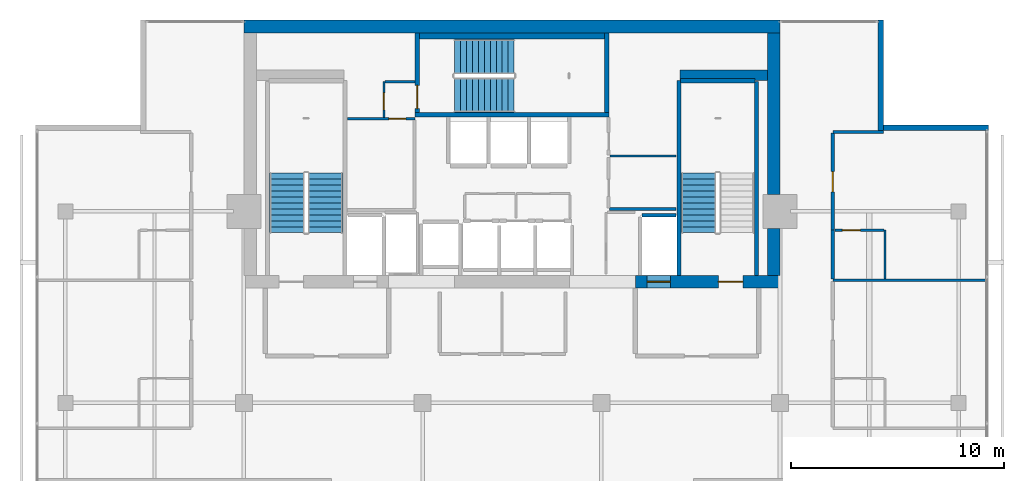
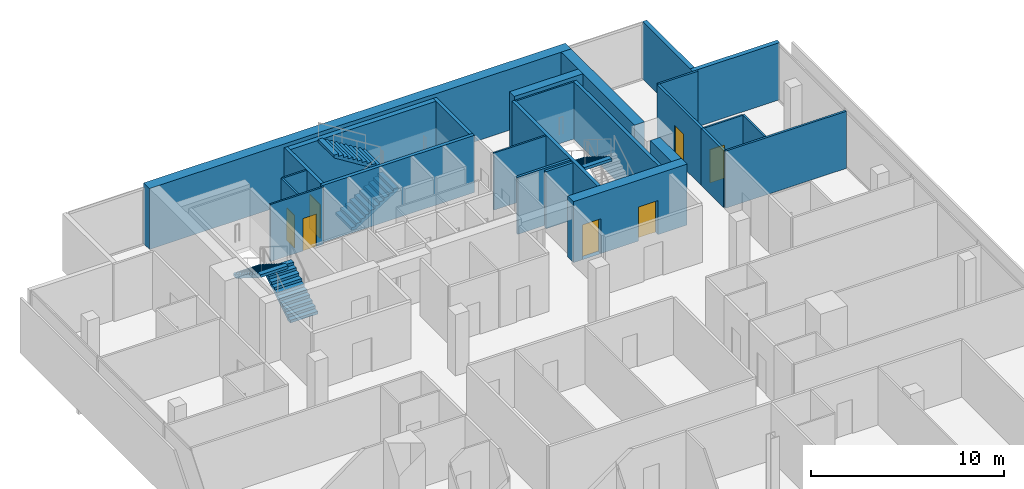
# One storey, part 23 of 26: 26 walls, 7 doors, 5 stair flights, 7 openings, 3 elements without a shape of their own.
"""IFC4 building model written with IfcOpenShell, lengths in metres."""

from ifc_helpers import new_model, si_unit, direction, frame, frame_2d, origin, place, context, subcontext, project, spatial, polyline, rectangle, outline, extrude, material, layer, layer_set, type_object, element, fill, aggregate, save


model = new_model("IFC4")

# Units and contexts
model_context = context("Model", 3, precision=1e-05, world=origin(), true_north=direction((0.0, 1.0)))
body_context = subcontext(model_context, "Body", "Model", "MODEL_VIEW")
ifc_project = project(units=[si_unit("LENGTHUNIT", "METRE"), si_unit("AREAUNIT", "SQUARE_METRE"), si_unit("VOLUMEUNIT", "CUBIC_METRE"), si_unit("PLANEANGLEUNIT", "RADIAN"), si_unit("MASSUNIT", "GRAM", prefix="KILO")], contexts=[model_context])

# Site, building, storey
site_placement = place(None, origin())
site = spatial("IfcSite", under=ifc_project, at=site_placement, CompositionType="ELEMENT")
building_placement = place(site_placement, origin())
building = spatial("IfcBuilding", under=site, at=building_placement, Name="Maruvema Waterfront Hotel and Observation Tower", CompositionType="ELEMENT")
storey_placement = place(building_placement, frame((0.0, 0.0, 301.0)))
storey = spatial("IfcBuildingStorey", under=building, at=storey_placement, Name="L74", CompositionType="ELEMENT", Elevation=301.0)

# Walls
ifc_material_1 = material(Name="Twin-stud acoustic gypsum drywall", Category="gypsum")
ifc_layer_1 = layer(ifc_material_1, 0.14990234375, Name="Acoustic Corridor and Suite Demising Wall 150 mm")
ifc_layer_set_1 = layer_set([ifc_layer_1], Name="Twin-stud acoustic gypsum drywall")
wall_type_1 = type_object("IfcWallType", Name="Acoustic Corridor and Suite Demising Wall 150 mm", PredefinedType="PARTITIONING", material=ifc_layer_set_1)
wall_1_placement = place(storey_placement, frame((42.3798828125, 45.1201171875, 0.0), z_axis=(0.0, 0.0, 1.0), x_axis=(1.0, 0.0, 0.0)))
element("IfcWall", 1, at=wall_1_placement, inside=storey, type_object=wall_type_1, Name="L74 Freed B2 South Wall 025", PredefinedType="PARTITIONING", context=body_context, shape_type="SweptSolid", body=[
    extrude(rectangle(XDim=3.14013671875, YDim=0.14990234375, at=frame_2d((1.570068359375, 0.0))), origin(), (0.0, 0.0, 1.0), 3.610107421875),
])
wall_2_placement = place(storey_placement, frame((52.8798828125, 41.82861328125, 0.0), z_axis=(0.0, 0.0, 1.0), x_axis=(0.0, 1.0, 0.0)))
element("IfcWall", 2, at=wall_2_placement, inside=storey, type_object=wall_type_1, Name="L74 Bath L74-NE2 Wall 101", PredefinedType="PARTITIONING", context=body_context, shape_type="SweptSolid", body=[
    extrude(rectangle(XDim=2.2900390625, YDim=0.14990234375, at=frame_2d((1.14501953125, 0.0))), origin(), (0.0, 0.0, 1.0), 3.610107421875),
])

# Wall, opening, door
wall_3_placement = place(storey_placement, frame((52.8798828125, 44.11865234375, 0.0), z_axis=(0.0, 0.0, 1.0), x_axis=(0.0, 1.0, 0.0)))
wall_3 = element("IfcWall", 3, at=wall_3_placement, inside=storey, type_object=wall_type_1, Name="L74 Room L74-NE2 Corridor Wall 102", PredefinedType="PARTITIONING", context=body_context, shape_type="SweptSolid", body=[
    extrude(rectangle(XDim=4.558837890625, YDim=0.14990234375, at=frame_2d((2.279296875, 0.0))), origin(), (0.0, 0.0, 1.0), 3.610107421875),
])
opening_1_placement = place(wall_3_placement, frame((1.804443359375, 0.0, 0.0)))
opening_1 = element("IfcOpeningElement", 4, at=opening_1_placement, cuts=wall_3, Name="Opening DR-095", PredefinedType="OPENING", context=body_context, shape_type="SweptSolid", body=[
    extrude(rectangle(XDim=0.949951171875, YDim=2.14990234375, at=frame_2d((0.47509765625, 1.074951171875))), frame((0.0, 0.0849609375, 0.0), z_axis=(0.0, -1.0, 0.0), x_axis=(1.0, 0.0, 0.0)), (0.0, 0.0, 1.0), 0.169921875),
])
ifc_material_2 = material(Name="Acoustic solid-core hardwood timber leaf", Category="wood")
door_type_1 = type_object("IfcDoorType", Name="Guestroom Entrance Fire Door 950x2150 mm", OperationType="NOTDEFINED", PredefinedType="DOOR", material=ifc_material_2)
door_1_placement = place(opening_1_placement, frame((0.949951171875, 0.0, 0.0), z_axis=(0.0, 0.0, 1.0), x_axis=(-1.0, 0.0, 0.0)))
door_1 = element("IfcDoor", 5, at=door_1_placement, inside=storey, type_object=door_type_1, Name="L74 Room L74-NE2 Entrance Door", OperationType="SINGLE_SWING_RIGHT", OverallHeight=2.14990234375, OverallWidth=0.949951171875, PredefinedType="DOOR", context=body_context, shape_type="SweptSolid", body=[
    extrude(rectangle(XDim=0.949951171875, YDim=2.14990234375, at=frame_2d((0.47509765625, 1.074951171875))), frame((0.0, 0.02490234375, 0.0), z_axis=(0.0, -1.0, 0.0), x_axis=(1.0, 0.0, 0.0)), (0.0, 0.0, 1.0), 0.050048828125),
])
fill(opening_1, door_1)

# Walls
ifc_material_3 = material(Name="Precast concrete C45/55", Category="concrete")
ifc_layer_2 = layer(ifc_material_3, 0.300048828125, Name="Core Shaft Furring Wall 300 mm")
ifc_layer_set_2 = layer_set([ifc_layer_2], Name="Precast concrete C45/55")
wall_type_2 = type_object("IfcWallType", Name="Core Shaft Furring Wall 300 mm", PredefinedType="SOLIDWALL", material=ifc_layer_set_2)
wall_4_placement = place(storey_placement, frame((33.449951171875, 53.25, 0.0), z_axis=(0.0, 0.0, 1.0), x_axis=(1.0, 0.0, 0.0)))
element("IfcWall", 6, at=wall_4_placement, inside=storey, type_object=wall_type_2, Name="L74 Stairwell ST-02 North Furring Wall", PredefinedType="SOLIDWALL", context=body_context, shape_type="SweptSolid", body=[
    extrude(rectangle(XDim=8.699951171875, YDim=0.300048828125, at=frame_2d((4.35009765625, 0.0))), origin(), (0.0, 0.0, 1.0), 3.610107421875),
])
ifc_material_4 = material(Name="Precast concrete C45/55", Category="concrete")
ifc_layer_3 = layer(ifc_material_4, 0.199951171875, Name="Core Shaft and Stairwell Enclosure Wall 200 mm")
ifc_layer_set_3 = layer_set([ifc_layer_3], Name="Precast concrete C45/55")
wall_type_3 = type_object("IfcWallType", Name="Core Shaft and Stairwell Enclosure Wall 200 mm", PredefinedType="SOLIDWALL", material=ifc_layer_set_3)
wall_5_placement = place(storey_placement, frame((33.25, 49.550048828125, 0.0), z_axis=(0.0, 0.0, 1.0), x_axis=(1.0, 0.0, 0.0)))
element("IfcWall", 7, at=wall_5_placement, inside=storey, type_object=wall_type_3, Name="L74 Stairwell ST-02 Shaft Wall", PredefinedType="SOLIDWALL", context=body_context, shape_type="SweptSolid", body=[
    extrude(rectangle(XDim=9.10009765625, YDim=0.199951171875, at=frame_2d((4.550048828125, 0.0))), origin(), (0.0, 0.0, 1.0), 3.610107421875),
])
wall_6_placement = place(storey_placement, frame((42.25, 49.64990234375, 0.0), z_axis=(0.0, 0.0, 1.0), x_axis=(0.0, 1.0, 0.0)))
element("IfcWall", 8, at=wall_6_placement, inside=storey, type_object=wall_type_3, Name="L74 Stairwell ST-02 Shaft Wall", PredefinedType="SOLIDWALL", context=body_context, shape_type="SweptSolid", body=[
    extrude(rectangle(XDim=3.75, YDim=0.199951171875, at=frame_2d((1.875, 0.0))), origin(), (0.0, 0.0, 1.0), 3.610107421875),
])

# Wall, opening, door
wall_7_placement = place(storey_placement, frame((33.35009765625, 49.64990234375, 0.0), z_axis=(0.0, 0.0, 1.0), x_axis=(0.0, 1.0, 0.0)))
wall_7 = element("IfcWall", 9, at=wall_7_placement, inside=storey, type_object=wall_type_3, Name="L74 Stairwell ST-02 Shaft Wall", PredefinedType="SOLIDWALL", context=body_context, shape_type="SweptSolid", body=[
    extrude(rectangle(XDim=3.75, YDim=0.199951171875, at=frame_2d((1.875, 0.0))), origin(), (0.0, 0.0, 1.0), 3.610107421875),
])
opening_2_placement = place(wall_7_placement, frame((0.179931640625, 0.0, 0.0)))
opening_2 = element("IfcOpeningElement", 10, at=opening_2_placement, cuts=wall_7, Name="Opening SD-02", PredefinedType="OPENING", context=body_context, shape_type="SweptSolid", body=[
    extrude(rectangle(XDim=1.10009765625, YDim=2.14990234375, at=frame_2d((0.550048828125, 1.074951171875))), frame((0.0, 0.10986328125, 0.0), z_axis=(0.0, -1.0, 0.0), x_axis=(1.0, 0.0, 0.0)), (0.0, 0.0, 1.0), 0.219970703125),
])
ifc_material_5 = material(Name="Fire-rated galvanised steel leaf", Category="steel")
door_type_2 = type_object("IfcDoorType", Name="Central Exit Stair Fire Door 1100x2150 mm", OperationType="NOTDEFINED", PredefinedType="DOOR", material=ifc_material_5)
door_2_placement = place(opening_2_placement, frame((1.10009765625, 0.0, 0.0), z_axis=(0.0, 0.0, 1.0), x_axis=(-1.0, 0.0, 0.0)))
door_2 = element("IfcDoor", 11, at=door_2_placement, inside=storey, type_object=door_type_2, Name="L74 Exit Stair ST-02 Fire Door", OperationType="SINGLE_SWING_LEFT", OverallHeight=2.14990234375, OverallWidth=1.10009765625, PredefinedType="DOOR", context=body_context, shape_type="SweptSolid", body=[
    extrude(rectangle(XDim=1.10009765625, YDim=2.14990234375, at=frame_2d((0.550048828125, 1.074951171875))), frame((0.0, 0.02490234375, 0.0), z_axis=(0.0, -1.0, 0.0), x_axis=(1.0, 0.0, 0.0)), (0.0, 0.0, 1.0), 0.050048828125),
])
fill(opening_2, door_2)

# Walls
wall_8_placement = place(storey_placement, frame((45.64990234375, 42.0, 0.0), z_axis=(0.0, 0.0, 1.0), x_axis=(0.0, 1.0, 0.0)))
element("IfcWall", 12, at=wall_8_placement, inside=storey, type_object=wall_type_3, Name="L74 Stairwell ST-03 West Shaft Wall", PredefinedType="SOLIDWALL", context=body_context, shape_type="SweptSolid", body=[
    extrude(rectangle(XDim=9.14990234375, YDim=0.199951171875, at=frame_2d((4.574951171875, 0.0))), origin(), (0.0, 0.0, 1.0), 3.610107421875),
])
wall_9_placement = place(storey_placement, frame((49.300048828125, 42.0, 0.0), z_axis=(0.0, 0.0, 1.0), x_axis=(0.0, 1.0, 0.0)))
element("IfcWall", 13, at=wall_9_placement, inside=storey, type_object=wall_type_3, Name="L74 Stairwell ST-03 Shaft Lining Wall", PredefinedType="SOLIDWALL", context=body_context, shape_type="SweptSolid", body=[
    extrude(rectangle(XDim=9.1201171875, YDim=0.199951171875, at=frame_2d((4.56005859375, 0.0))), origin(), (0.0, 0.0, 1.0), 3.610107421875),
])
wall_10_placement = place(storey_placement, frame((45.719970703125, 51.14990234375, 0.0), z_axis=(0.0, 0.0, 1.0), x_axis=(1.0, 0.0, 0.0)))
element("IfcWall", 14, at=wall_10_placement, inside=storey, type_object=wall_type_3, Name="L74 Stairwell ST-03 Shaft Lining Wall", PredefinedType="SOLIDWALL", context=body_context, shape_type="SweptSolid", body=[
    extrude(rectangle(XDim=3.5, YDim=0.199951171875, at=frame_2d((1.75, 0.0))), origin(), (0.0, 0.0, 1.0), 3.610107421875),
])
ifc_material_6 = material(Name="Concrete C70/85", Category="concrete")
ifc_layer_4 = layer(ifc_material_6, 0.5, Name="Core Shear Wall 500 mm")
ifc_layer_set_4 = layer_set([ifc_layer_4], Name="Concrete C70/85")
wall_type_4 = type_object("IfcWallType", Name="Core Shear Wall 500 mm", PredefinedType="SHEAR", material=ifc_layer_set_4)
wall_11_placement = place(storey_placement, frame((45.699951171875, 51.39990234375, 0.0), z_axis=(0.0, 0.0, 1.0), x_axis=(1.0, 0.0, 0.0)))
element("IfcWall", 15, at=wall_11_placement, inside=storey, type_object=wall_type_4, Name="L74 Internal Core Shear Wall NE 500 mm", PredefinedType="SHEAR", context=body_context, shape_type="SweptSolid", body=[
    extrude(rectangle(XDim=4.10009765625, YDim=0.5, at=frame_2d((2.050048828125, 0.0))), origin(), (0.0, 0.0, 1.0), 3.85009765625),
])
ifc_material_7 = material(Name="Concrete C60/75", Category="concrete")
ifc_layer_5 = layer(ifc_material_7, 0.60009765625, Name="Core Shear Wall 600 mm")
ifc_layer_set_5 = layer_set([ifc_layer_5], Name="Concrete C60/75")
wall_type_5 = type_object("IfcWallType", Name="Core Shear Wall 600 mm", PredefinedType="SHEAR", material=ifc_layer_set_5)
wall_12_placement = place(storey_placement, frame((25.199951171875, 53.699951171875, 0.0), z_axis=(0.0, 0.0, 1.0), x_axis=(1.0, 0.0, 0.0)))
element("IfcWall", 16, at=wall_12_placement, inside=storey, type_object=wall_type_5, Name="L74 North Core Shear Wall", PredefinedType="SHEAR", context=body_context, shape_type="SweptSolid", body=[
    extrude(rectangle(XDim=25.199951171875, YDim=0.60009765625, at=frame_2d((12.60009765625, 0.0))), origin(), (0.0, 0.0, 1.0), 3.85009765625),
])

# Wall, openings, doors
wall_13_placement = place(storey_placement, frame((43.60009765625, 41.699951171875, 0.0), z_axis=(0.0, 0.0, 1.0), x_axis=(1.0, 0.0, 0.0)))
wall_13 = element("IfcWall", 17, at=wall_13_placement, inside=storey, type_object=wall_type_5, Name="L74 South-East Core Shear Wall", PredefinedType="SHEAR", context=body_context, shape_type="SweptSolid", body=[
    extrude(rectangle(XDim=6.7998046875, YDim=0.60009765625, at=frame_2d((3.39990234375, 0.0))), origin(), (0.0, 0.0, 1.0), 3.85009765625),
])
opening_3_placement = place(wall_13_placement, frame((3.89990234375, 0.0, 0.0)))
opening_3 = element("IfcOpeningElement", 18, at=opening_3_placement, cuts=wall_13, Name="Opening SD-01", PredefinedType="OPENING", context=body_context, shape_type="SweptSolid", body=[
    extrude(rectangle(XDim=1.14990234375, YDim=2.14990234375, at=frame_2d((0.574951171875, 1.074951171875))), frame((0.0, 0.31005859375, 0.0), z_axis=(0.0, -1.0, 0.0), x_axis=(1.0, 0.0, 0.0)), (0.0, 0.0, 1.0), 0.6201171875),
])
opening_4_placement = place(wall_13_placement, frame((0.550048828125, 0.0, 0.0)))
opening_4 = element("IfcOpeningElement", 19, at=opening_4_placement, cuts=wall_13, Name="Opening LD-03", PredefinedType="OPENING", context=body_context, shape_type="SweptSolid", body=[
    extrude(rectangle(XDim=1.10009765625, YDim=2.199951171875, at=frame_2d((0.550048828125, 1.10009765625))), frame((0.0, 0.31005859375, 0.0), z_axis=(0.0, -1.0, 0.0), x_axis=(1.0, 0.0, 0.0)), (0.0, 0.0, 1.0), 0.6201171875),
])
ifc_material_8 = material(Name="Fire-rated galvanised steel leaf", Category="steel")
door_type_3 = type_object("IfcDoorType", Name="Exit Stair Fire Door 1150x2150 mm", OperationType="NOTDEFINED", PredefinedType="DOOR", material=ifc_material_8)
door_3_placement = place(opening_3_placement, origin())
door_3 = element("IfcDoor", 20, at=door_3_placement, inside=storey, type_object=door_type_3, Name="L74 Exit Stair ST-03 Fire Door", OperationType="SINGLE_SWING_RIGHT", OverallHeight=2.14990234375, OverallWidth=1.14990234375, PredefinedType="DOOR", context=body_context, shape_type="SweptSolid", body=[
    extrude(rectangle(XDim=1.14990234375, YDim=2.14990234375, at=frame_2d((0.574951171875, 1.074951171875))), frame((0.0, 0.02490234375, 0.0), z_axis=(0.0, -1.0, 0.0), x_axis=(1.0, 0.0, 0.0)), (0.0, 0.0, 1.0), 0.050048828125),
])
fill(opening_3, door_3)
ifc_material_9 = material(Name="Brushed stainless steel Grade 316", Category="steel")
door_type_4 = type_object("IfcDoorType", Name="Firefighting Lift Sliding Landing Door 1100x2200 mm", OperationType="SLIDING_TO_LEFT", PredefinedType="DOOR", material=ifc_material_9)
door_4_placement = place(opening_4_placement, frame((1.10009765625, 0.0, 0.0), z_axis=(0.0, 0.0, 1.0), x_axis=(-1.0, 0.0, 0.0)))
door_4 = element("IfcDoor", 21, at=door_4_placement, inside=storey, type_object=door_type_4, Name="L74 Firefighting Lift FL-02 Landing Door", OperationType="SLIDING_TO_LEFT", OverallHeight=2.199951171875, OverallWidth=1.10009765625, PredefinedType="DOOR", context=body_context, shape_type="SweptSolid", body=[
    extrude(rectangle(XDim=1.10009765625, YDim=2.199951171875, at=frame_2d((0.550048828125, 1.10009765625))), frame((0.0, 0.02490234375, 0.0), z_axis=(0.0, -1.0, 0.0), x_axis=(1.0, 0.0, 0.0)), (0.0, 0.0, 1.0), 0.050048828125),
])
fill(opening_4, door_4)

# Walls
wall_14_placement = place(storey_placement, frame((50.10009765625, 42.0, 0.0), z_axis=(0.0, 0.0, 1.0), x_axis=(0.0, 1.0, 0.0)))
element("IfcWall", 22, at=wall_14_placement, inside=storey, type_object=wall_type_5, Name="L74 East-South Core Shear Wall", PredefinedType="SHEAR", context=body_context, shape_type="SweptSolid", body=[
    extrude(rectangle(XDim=2.199951171875, YDim=0.60009765625, at=frame_2d((1.10009765625, 0.0))), origin(), (0.0, 0.0, 1.0), 3.85009765625),
])
wall_15_placement = place(storey_placement, frame((50.10009765625, 45.800048828125, 0.0), z_axis=(0.0, 0.0, 1.0), x_axis=(0.0, 1.0, 0.0)))
element("IfcWall", 23, at=wall_15_placement, inside=storey, type_object=wall_type_5, Name="L74 East-North Core Shear Wall", PredefinedType="SHEAR", context=body_context, shape_type="SweptSolid", body=[
    extrude(rectangle(XDim=7.599853515625, YDim=0.60009765625, at=frame_2d((3.7998046875, 0.0))), origin(), (0.0, 0.0, 1.0), 3.85009765625),
])

# Wall, opening, door
ifc_material_10 = material(Name="Moisture-resistant cement-board drywall", Category="gypsum")
ifc_layer_6 = layer(ifc_material_10, 0.10009765625, Name="En-Suite Moisture-Resistant Partition 100 mm")
ifc_layer_set_6 = layer_set([ifc_layer_6], Name="Moisture-resistant cement-board drywall")
wall_type_6 = type_object("IfcWallType", Name="En-Suite Moisture-Resistant Partition 100 mm", PredefinedType="PARTITIONING", material=ifc_layer_set_6)
wall_16_placement = place(storey_placement, frame((30.06005859375, 49.360107421875, 0.0), z_axis=(0.0, 0.0, 1.0), x_axis=(1.0, 0.0, 0.0)))
wall_16 = element("IfcWall", 24, at=wall_16_placement, inside=storey, type_object=wall_type_6, Name="L74 Freed B1 Mid Wall 019", PredefinedType="PARTITIONING", context=body_context, shape_type="SweptSolid", body=[
    extrude(rectangle(XDim=3.179931640625, YDim=0.10009765625, at=frame_2d((1.58984375, 0.0))), origin(), (0.0, 0.0, 1.0), 3.610107421875),
])
opening_5_placement = place(wall_16_placement, frame((1.949951171875, 0.0, 0.0)))
opening_5 = element("IfcOpeningElement", 25, at=opening_5_placement, cuts=wall_16, Name="Opening DR-080", PredefinedType="OPENING", context=body_context, shape_type="SweptSolid", body=[
    extrude(rectangle(XDim=0.800048828125, YDim=2.050048828125, at=frame_2d((0.39990234375, 1.02490234375))), frame((0.0, 0.06005859375, 0.0), z_axis=(0.0, -1.0, 0.0), x_axis=(1.0, 0.0, 0.0)), (0.0, 0.0, 1.0), 0.1201171875),
])
ifc_material_11 = material(Name="Powder-coated steel access leaf", Category="steel")
door_type_5 = type_object("IfcDoorType", Name="Riser and Service Cupboard Door 800x2050 mm", OperationType="NOTDEFINED", PredefinedType="DOOR", material=ifc_material_11)
door_5_placement = place(opening_5_placement, origin())
door_5 = element("IfcDoor", 26, at=door_5_placement, inside=storey, type_object=door_type_5, Name="L74 Housekeeping and Linen Room Door", OperationType="SINGLE_SWING_LEFT", OverallHeight=2.050048828125, OverallWidth=0.800048828125, PredefinedType="DOOR", context=body_context, shape_type="SweptSolid", body=[
    extrude(rectangle(XDim=0.800048828125, YDim=2.050048828125, at=frame_2d((0.39990234375, 1.02490234375))), frame((0.0, 0.02490234375, 0.0), z_axis=(0.0, -1.0, 0.0), x_axis=(1.0, 0.0, 0.0)), (0.0, 0.0, 1.0), 0.050048828125),
])
fill(opening_5, door_5)

wall_17_placement = place(storey_placement, frame((31.780029296875, 49.419921875, 0.0), z_axis=(0.0, 0.0, 1.0), x_axis=(0.0, 1.0, 0.0)))
wall_17 = element("IfcWall", 27, at=wall_17_placement, inside=storey, type_object=wall_type_6, Name="L74 Freed B1 NW East Wall 020", PredefinedType="PARTITIONING", context=body_context, shape_type="SweptSolid", body=[
    extrude(rectangle(XDim=1.68017578125, YDim=0.10009765625, at=frame_2d((0.840087890625, 0.0))), origin(), (0.0, 0.0, 1.0), 3.610107421875),
])
opening_6_placement = place(wall_17_placement, frame((0.35009765625, 0.0, 0.0)))
opening_6 = element("IfcOpeningElement", 28, at=opening_6_placement, cuts=wall_17, Name="Opening DR-080", PredefinedType="OPENING", context=body_context, shape_type="SweptSolid", body=[
    extrude(rectangle(XDim=0.800048828125, YDim=2.050048828125, at=frame_2d((0.39990234375, 1.02490234375))), frame((0.0, 0.06005859375, 0.0), z_axis=(0.0, -1.0, 0.0), x_axis=(1.0, 0.0, 0.0)), (0.0, 0.0, 1.0), 0.1201171875),
])
door_6_placement = place(opening_6_placement, origin())
door_6 = element("IfcDoor", 29, at=door_6_placement, inside=storey, type_object=door_type_5, Name="L74 Guest Floor Pantry Door", OperationType="SINGLE_SWING_RIGHT", OverallHeight=2.050048828125, OverallWidth=0.800048828125, PredefinedType="DOOR", context=body_context, shape_type="SweptSolid", body=[
    extrude(rectangle(XDim=0.800048828125, YDim=2.050048828125, at=frame_2d((0.39990234375, 1.02490234375))), frame((0.0, 0.02490234375, 0.0), z_axis=(0.0, -1.0, 0.0), x_axis=(1.0, 0.0, 0.0)), (0.0, 0.0, 1.0), 0.050048828125),
])
fill(opening_6, door_6)

# Walls
wall_18_placement = place(storey_placement, frame((31.820068359375, 51.10009765625, 0.0), z_axis=(0.0, 0.0, 1.0), x_axis=(1.0, 0.0, 0.0)))
element("IfcWall", 30, at=wall_18_placement, inside=storey, type_object=wall_type_6, Name="L74 Freed B1 Vestibule North Wall 021", PredefinedType="PARTITIONING", context=body_context, shape_type="SweptSolid", body=[
    extrude(rectangle(XDim=1.419921875, YDim=0.10009765625, at=frame_2d((0.7099609375, 0.0))), origin(), (0.0, 0.0, 1.0), 3.610107421875),
])
wall_19_placement = place(storey_placement, frame((42.39990234375, 47.60009765625, 0.0), z_axis=(0.0, 0.0, 1.0), x_axis=(1.0, 0.0, 0.0)))
element("IfcWall", 31, at=wall_19_placement, inside=storey, type_object=wall_type_6, Name="L74 Freed B2 Split 024", PredefinedType="PARTITIONING", context=body_context, shape_type="SweptSolid", body=[
    extrude(rectangle(XDim=3.10009765625, YDim=0.10009765625, at=frame_2d((1.550048828125, 0.0))), origin(), (0.0, 0.0, 1.0), 3.610107421875),
])
wall_20_placement = place(storey_placement, frame((55.330078125, 41.82861328125, 0.0), z_axis=(0.0, 0.0, 1.0), x_axis=(0.0, 1.0, 0.0)))
element("IfcWall", 32, at=wall_20_placement, inside=storey, type_object=wall_type_6, Name="L74 En-Suite L74-NE2 E 103", PredefinedType="PARTITIONING", context=body_context, shape_type="SweptSolid", body=[
    extrude(rectangle(XDim=2.2900390625, YDim=0.10009765625, at=frame_2d((1.14501953125, 0.0))), origin(), (0.0, 0.0, 1.0), 3.610107421875),
])

# Wall, opening, door
wall_21_placement = place(storey_placement, frame((52.97998046875, 44.11865234375, 0.0), z_axis=(0.0, 0.0, 1.0), x_axis=(1.0, 0.0, 0.0)))
wall_21 = element("IfcWall", 33, at=wall_21_placement, inside=storey, type_object=wall_type_6, Name="L74 En-Suite L74-NE2 N 104", PredefinedType="PARTITIONING", context=body_context, shape_type="SweptSolid", body=[
    extrude(rectangle(XDim=2.300048828125, YDim=0.10009765625, at=frame_2d((1.14990234375, 0.0))), origin(), (0.0, 0.0, 1.0), 3.610107421875),
])
opening_7_placement = place(wall_21_placement, frame((0.35009765625, 0.0, 0.0)))
opening_7 = element("IfcOpeningElement", 34, at=opening_7_placement, cuts=wall_21, Name="Opening DR-085", PredefinedType="OPENING", context=body_context, shape_type="SweptSolid", body=[
    extrude(rectangle(XDim=0.85009765625, YDim=2.10009765625, at=frame_2d((0.425048828125, 1.050048828125))), frame((0.0, 0.06005859375, 0.0), z_axis=(0.0, -1.0, 0.0), x_axis=(1.0, 0.0, 0.0)), (0.0, 0.0, 1.0), 0.1201171875),
])
ifc_material_12 = material(Name="Moisture-resistant solid timber leaf", Category="wood")
door_type_6 = type_object("IfcDoorType", Name="En-Suite Bathroom Door 850x2100 mm", OperationType="NOTDEFINED", PredefinedType="DOOR", material=ifc_material_12)
door_7_placement = place(opening_7_placement, origin())
door_7 = element("IfcDoor", 35, at=door_7_placement, inside=storey, type_object=door_type_6, Name="L74 En-Suite L74-NE2 Door", OperationType="SINGLE_SWING_LEFT", OverallHeight=2.10009765625, OverallWidth=0.85009765625, PredefinedType="DOOR", context=body_context, shape_type="SweptSolid", body=[
    extrude(rectangle(XDim=0.85009765625, YDim=2.10009765625, at=frame_2d((0.425048828125, 1.050048828125))), frame((0.0, 0.02490234375, 0.0), z_axis=(0.0, -1.0, 0.0), x_axis=(1.0, 0.0, 0.0)), (0.0, 0.0, 1.0), 0.050048828125),
])
fill(opening_7, door_7)

# Walls
ifc_material_13 = material(Name="Precast concrete C45/55 with honed Pernambuco granite facing", Category="masonry")
ifc_layer_7 = layer(ifc_material_13, 0.260009765625, Name="Exterior Granite Clad Spandrel and Pier Wall 260 mm")
ifc_layer_set_7 = layer_set([ifc_layer_7], Name="Precast concrete C45/55 with honed Pernambuco granite facing")
wall_type_7 = type_object("IfcWallType", Name="Exterior Granite Clad Spandrel and Pier Wall 260 mm", PredefinedType="SOLIDWALL", material=ifc_layer_set_7)
for number, where, z_axis, x_axis, name in (
    (36, (55.1298828125, 54.0, 0.0), (0.0, 0.0, 1.0), (0.0, -1.0, 0.0), "L74 Corner Notch Granite Pier Wall NE1"),
    (37, (55.0, 48.929931640625, 0.0), (0.0, 0.0, 1.0), (1.0, 0.0, 0.0), "L74 Corner Notch Granite Pier Wall NE2"),
):
    element("IfcWall", number, at=place(storey_placement, frame(where, z_axis=z_axis, x_axis=x_axis)), inside=storey, type_object=wall_type_7, Name=name, PredefinedType="SOLIDWALL", context=body_context, shape_type="SweptSolid", body=[
        extrude(rectangle(XDim=5.199951171875, YDim=0.260009765625, at=frame_2d((2.60009765625, 0.0))), origin(), (0.0, 0.0, 1.0), 3.610107421875),
    ])
ifc_material_14 = material(Name="Acoustic gypsum plasterboard drywall", Category="gypsum")
ifc_layer_8 = layer(ifc_material_14, 0.125, Name="Guestroom Acoustic Demising Wall 125 mm")
ifc_layer_set_8 = layer_set([ifc_layer_8], Name="Acoustic gypsum plasterboard drywall")
wall_type_8 = type_object("IfcWallType", Name="Guestroom Acoustic Demising Wall 125 mm", PredefinedType="PARTITIONING", material=ifc_layer_set_8)
wall_22_placement = place(storey_placement, frame((52.8798828125, 48.737548828125, 0.0), z_axis=(0.0, 0.0, 1.0), x_axis=(1.0, 0.0, 0.0)))
element("IfcWall", 38, at=wall_22_placement, inside=storey, type_object=wall_type_8, Name="L74 Z3 NE Top End 086", PredefinedType="PARTITIONING", context=body_context, shape_type="SweptSolid", body=[
    extrude(rectangle(XDim=2.380126953125, YDim=0.125, at=frame_2d((1.18994140625, 0.0))), origin(), (0.0, 0.0, 1.0), 3.610107421875),
])
wall_23_placement = place(storey_placement, frame((52.8798828125, 41.768798828125, 0.0), z_axis=(0.0, 0.0, 1.0), x_axis=(1.0, 0.0, 0.0)))
element("IfcWall", 39, at=wall_23_placement, inside=storey, type_object=wall_type_8, Name="L74 Z3 NE Demising 2 096", PredefinedType="PARTITIONING", context=body_context, shape_type="SweptSolid", body=[
    extrude(rectangle(XDim=7.22021484375, YDim=0.125, at=frame_2d((3.610107421875, 0.0))), origin(), (0.0, 0.0, 1.0), 3.610107421875),
])
ifc_material_15 = material(Name="Precast concrete C45/55", Category="concrete")
ifc_layer_9 = layer(ifc_material_15, 0.159912109375, Name="Lift Hoistway Divider Wall 160 mm")
ifc_layer_set_9 = layer_set([ifc_layer_9], Name="Precast concrete C45/55")
wall_type_9 = type_object("IfcWallType", Name="Lift Hoistway Divider Wall 160 mm", PredefinedType="SOLIDWALL", material=ifc_layer_set_9)
wall_24_placement = place(storey_placement, frame((43.89990234375, 44.830078125, 0.0), z_axis=(0.0, 0.0, 1.0), x_axis=(1.0, 0.0, 0.0)))
element("IfcWall", 40, at=wall_24_placement, inside=storey, type_object=wall_type_9, Name="L74 Lift FL-02 Rear Hoistway Wall", PredefinedType="SOLIDWALL", context=body_context, shape_type="SweptSolid", body=[
    extrude(rectangle(XDim=1.60009765625, YDim=0.159912109375, at=frame_2d((0.800048828125, 0.0))), origin(), (0.0, 0.0, 1.0), 3.610107421875),
])

# Stair, stair flights
ifc_material_16 = material(Name="Concrete C50/60", Category="concrete")
stair_type = type_object("IfcStairType", Name="Dogleg Exit Stair 1650 mm (22R x 175.0 mm)", PredefinedType="HALF_TURN_STAIR", material=ifc_material_16)
stair_1_placement = place(storey_placement, origin())
stair_1 = element("IfcStair", 41, at=stair_1_placement, inside=storey, type_object=stair_type, Name="L74 ST-01", PredefinedType="HALF_TURN_STAIR")
ifc_material_17 = material(Name="Concrete C50/60", Category="concrete")
stair_flight_type = type_object("IfcStairFlightType", Name="Reinforced Concrete Stair Flight 1650 mm (11R x 175.0 mm)", PredefinedType="STRAIGHT", material=ifc_material_17)
stair_flight_1_placement = place(storey_placement, frame((29.02490234375, 44.0, 0.0), z_axis=(0.0, 0.0, 1.0), x_axis=(0.0, 1.0, 0.0)))
stair_flight_1 = element("IfcStairFlight", 42, at=stair_flight_1_placement, type_object=stair_flight_type, Name="ST-01 flight 1", NumberOfRisers=11, NumberOfTreads=10, PredefinedType="STRAIGHT", RiserHeight=0.175, TreadLength=0.28, context=body_context, shape_type="SweptSolid", body=[
    extrude(outline(polyline([(0.0, 0.0), (0.0, 0.175048828125), (0.280029296875, 0.175048828125), (0.280029296875, 0.35009765625), (0.56005859375, 0.35009765625), (0.56005859375, 0.52490234375), (0.840087890625, 0.52490234375), (0.840087890625, 0.699951171875), (1.1201171875, 0.699951171875), (1.1201171875, 0.875), (1.39990234375, 0.875), (1.39990234375, 1.050048828125), (1.679931640625, 1.050048828125), (1.679931640625, 1.22509765625), (1.9599609375, 1.22509765625), (1.9599609375, 1.39990234375), (2.239990234375, 1.39990234375), (2.239990234375, 1.574951171875), (2.52001953125, 1.574951171875), (2.52001953125, 1.75), (2.800048828125, 1.75), (2.800048828125, 1.925048828125), (2.800048828125, 1.5732421875), (0.28271484375, 0.0), (0.0, 0.0)])), frame((0.0, 0.824951171875, 0.0), z_axis=(0.0, -1.0, 0.0), x_axis=(1.0, 0.0, 0.0)), (0.0, 0.0, 1.0), 1.64990234375),
])
stair_flight_2_placement = place(storey_placement, frame((27.22509765625, 46.800048828125, 1.925048828125), z_axis=(0.0, 0.0, 1.0), x_axis=(0.0, -1.0, 0.0)))
stair_flight_2 = element("IfcStairFlight", 43, at=stair_flight_2_placement, type_object=stair_flight_type, Name="ST-01 flight 2", NumberOfRisers=11, NumberOfTreads=10, PredefinedType="STRAIGHT", RiserHeight=0.175, TreadLength=0.28, context=body_context, shape_type="SweptSolid", body=[
    extrude(outline(polyline([(0.0, 0.0), (0.0, 0.175048828125), (0.280029296875, 0.175048828125), (0.280029296875, 0.35009765625), (0.56005859375, 0.35009765625), (0.56005859375, 0.52490234375), (0.840087890625, 0.52490234375), (0.840087890625, 0.699951171875), (1.1201171875, 0.699951171875), (1.1201171875, 0.875), (1.39990234375, 0.875), (1.39990234375, 1.050048828125), (1.679931640625, 1.050048828125), (1.679931640625, 1.22509765625), (1.9599609375, 1.22509765625), (1.9599609375, 1.39990234375), (2.239990234375, 1.39990234375), (2.239990234375, 1.574951171875), (2.52001953125, 1.574951171875), (2.52001953125, 1.75), (2.800048828125, 1.75), (2.800048828125, 1.925048828125), (2.800048828125, 1.5732421875), (0.28271484375, 0.0), (0.0, 0.0)])), frame((0.0, 0.824951171875, 0.0), z_axis=(0.0, -1.0, 0.0), x_axis=(1.0, 0.0, 0.0)), (0.0, 0.0, 1.0), 1.64990234375),
])
aggregate(stair_1, [stair_flight_1, stair_flight_2])

stair_2_placement = place(storey_placement, origin())
stair_2 = element("IfcStair", 44, at=stair_2_placement, inside=storey, type_object=stair_type, Name="L74 ST-02", PredefinedType="HALF_TURN_STAIR")
stair_flight_3_placement = place(storey_placement, frame((35.10009765625, 50.47509765625, 0.0), z_axis=(0.0, 0.0, 1.0), x_axis=(1.0, 0.0, 0.0)))
stair_flight_3 = element("IfcStairFlight", 45, at=stair_flight_3_placement, type_object=stair_flight_type, Name="ST-02 flight 1", NumberOfRisers=11, NumberOfTreads=10, PredefinedType="STRAIGHT", RiserHeight=0.175, TreadLength=0.28, context=body_context, shape_type="SweptSolid", body=[
    extrude(outline(polyline([(0.0, 0.0), (0.0, 0.175048828125), (0.280029296875, 0.175048828125), (0.280029296875, 0.35009765625), (0.56005859375, 0.35009765625), (0.56005859375, 0.52490234375), (0.840087890625, 0.52490234375), (0.840087890625, 0.699951171875), (1.1201171875, 0.699951171875), (1.1201171875, 0.875), (1.39990234375, 0.875), (1.39990234375, 1.050048828125), (1.679931640625, 1.050048828125), (1.679931640625, 1.22509765625), (1.9599609375, 1.22509765625), (1.9599609375, 1.39990234375), (2.239990234375, 1.39990234375), (2.239990234375, 1.574951171875), (2.52001953125, 1.574951171875), (2.52001953125, 1.75), (2.800048828125, 1.75), (2.800048828125, 1.925048828125), (2.800048828125, 1.5732421875), (0.28271484375, 0.0), (0.0, 0.0)])), frame((0.0, 0.824951171875, 0.0), z_axis=(0.0, -1.0, 0.0), x_axis=(1.0, 0.0, 0.0)), (0.0, 0.0, 1.0), 1.64990234375),
])
stair_flight_4_placement = place(storey_placement, frame((37.89990234375, 52.27490234375, 1.925048828125), z_axis=(0.0, 0.0, 1.0), x_axis=(-1.0, 0.0, 0.0)))
stair_flight_4 = element("IfcStairFlight", 46, at=stair_flight_4_placement, type_object=stair_flight_type, Name="ST-02 flight 2", NumberOfRisers=11, NumberOfTreads=10, PredefinedType="STRAIGHT", RiserHeight=0.175, TreadLength=0.28, context=body_context, shape_type="SweptSolid", body=[
    extrude(outline(polyline([(0.0, 0.0), (0.0, 0.175048828125), (0.280029296875, 0.175048828125), (0.280029296875, 0.35009765625), (0.56005859375, 0.35009765625), (0.56005859375, 0.52490234375), (0.840087890625, 0.52490234375), (0.840087890625, 0.699951171875), (1.1201171875, 0.699951171875), (1.1201171875, 0.875), (1.39990234375, 0.875), (1.39990234375, 1.050048828125), (1.679931640625, 1.050048828125), (1.679931640625, 1.22509765625), (1.9599609375, 1.22509765625), (1.9599609375, 1.39990234375), (2.239990234375, 1.39990234375), (2.239990234375, 1.574951171875), (2.52001953125, 1.574951171875), (2.52001953125, 1.75), (2.800048828125, 1.75), (2.800048828125, 1.925048828125), (2.800048828125, 1.5732421875), (0.28271484375, 0.0), (0.0, 0.0)])), frame((0.0, 0.824951171875, 0.0), z_axis=(0.0, -1.0, 0.0), x_axis=(1.0, 0.0, 0.0)), (0.0, 0.0, 1.0), 1.64990234375),
])
aggregate(stair_2, [stair_flight_3, stair_flight_4])

# Stair, stair flight
stair_3_placement = place(storey_placement, origin())
stair_3 = element("IfcStair", 47, at=stair_3_placement, inside=storey, type_object=stair_type, Name="L74 ST-03", PredefinedType="HALF_TURN_STAIR")
stair_flight_5_placement = place(storey_placement, frame((46.574951171875, 46.800048828125, 1.925048828125), z_axis=(0.0, 0.0, 1.0), x_axis=(0.0, -1.0, 0.0)))
stair_flight_5 = element("IfcStairFlight", 48, at=stair_flight_5_placement, type_object=stair_flight_type, Name="ST-03 flight 2", NumberOfRisers=11, NumberOfTreads=10, PredefinedType="STRAIGHT", RiserHeight=0.175, TreadLength=0.28, context=body_context, shape_type="SweptSolid", body=[
    extrude(outline(polyline([(0.0, 0.0), (0.0, 0.175048828125), (0.280029296875, 0.175048828125), (0.280029296875, 0.35009765625), (0.56005859375, 0.35009765625), (0.56005859375, 0.52490234375), (0.840087890625, 0.52490234375), (0.840087890625, 0.699951171875), (1.1201171875, 0.699951171875), (1.1201171875, 0.875), (1.39990234375, 0.875), (1.39990234375, 1.050048828125), (1.679931640625, 1.050048828125), (1.679931640625, 1.22509765625), (1.9599609375, 1.22509765625), (1.9599609375, 1.39990234375), (2.239990234375, 1.39990234375), (2.239990234375, 1.574951171875), (2.52001953125, 1.574951171875), (2.52001953125, 1.75), (2.800048828125, 1.75), (2.800048828125, 1.925048828125), (2.800048828125, 1.5732421875), (0.28271484375, 0.0), (0.0, 0.0)])), frame((0.0, 0.824951171875, 0.0), z_axis=(0.0, -1.0, 0.0), x_axis=(1.0, 0.0, 0.0)), (0.0, 0.0, 1.0), 1.64990234375),
])
aggregate(stair_3, [stair_flight_5])

save(model, "model.ifc")
